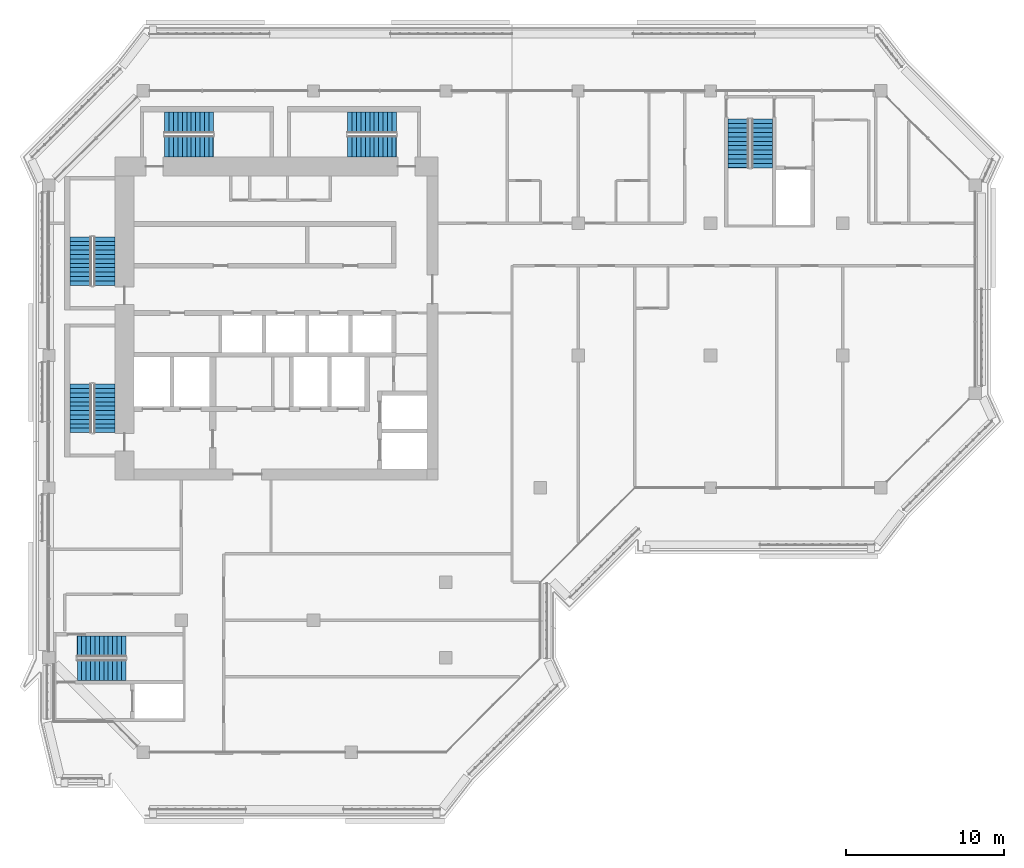
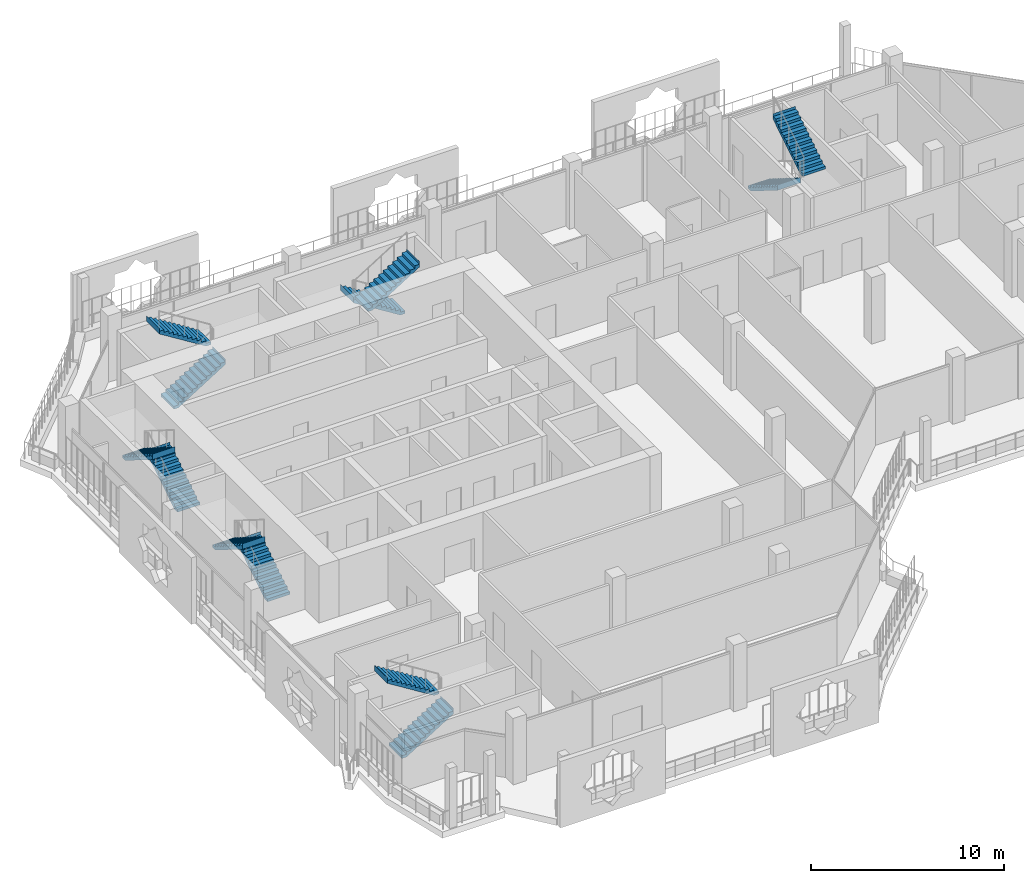
# One storey, part 14 of 21: 12 stair flights, 6 elements without a shape of their own.
"""IFC4 building model written with IfcOpenShell, lengths in metres."""

from ifc_helpers import new_model, si_unit, direction, frame, origin, place, context, subcontext, project, spatial, polyline, outline, extrude, material, type_object, element, aggregate, save


model = new_model("IFC4")

# Units and contexts
model_context = context("Model", 3, precision=1e-05, world=origin(), true_north=direction((0.0, 1.0)))
body_context = subcontext(model_context, "Body", "Model", "MODEL_VIEW")
ifc_project = project(units=[si_unit("LENGTHUNIT", "METRE"), si_unit("AREAUNIT", "SQUARE_METRE"), si_unit("VOLUMEUNIT", "CUBIC_METRE"), si_unit("PLANEANGLEUNIT", "RADIAN"), si_unit("MASSUNIT", "GRAM", prefix="KILO")], contexts=[model_context])

# Site, building, storey
site_placement = place(None, origin())
site = spatial("IfcSite", under=ifc_project, at=site_placement, CompositionType="ELEMENT")
building_placement = place(site_placement, origin())
building = spatial("IfcBuilding", under=site, at=building_placement, Name="Kawkab Arch Medical Tower", CompositionType="ELEMENT")
storey_placement = place(building_placement, frame((0.0, 0.0, 307.0)))
storey = spatial("IfcBuildingStorey", under=building, at=storey_placement, Name="L71", CompositionType="ELEMENT", Elevation=307.0)

# Stair, stair flights
ifc_material_1 = material(Name="Concrete C40/50", Category="concrete")
stair_type = type_object("IfcStairType", Name="Exit stair 1350", PredefinedType="HALF_TURN_STAIR", material=ifc_material_1)
placement = place(storey_placement, origin())
stair_1 = element("IfcStair", 1, at=placement, inside=storey, type_object=stair_type, Name="L71 Exit stair ST1", PredefinedType="HALF_TURN_STAIR")
ifc_material_2 = material(Name="Concrete C40/50", Category="concrete")
stair_flight_type = type_object("IfcStairFlightType", Name="Exit stair flight 1350", PredefinedType="STRAIGHT", material=ifc_material_2)
stair_flight_1_placement = place(storey_placement, frame((3.52490234375, -12.35009765625, 0.0), z_axis=(0.0, 0.0, 1.0), x_axis=(0.0, 1.0, 0.0)))
stair_flight_1 = element("IfcStairFlight", 2, at=stair_flight_1_placement, type_object=stair_flight_type, Name="ST1 flight 1", NumberOfRisers=12, NumberOfTreads=11, PredefinedType="STRAIGHT", RiserHeight=0.175, TreadLength=0.28, context=body_context, shape_type="SweptSolid", body=[
    extrude(outline(polyline([(-0.0029296875, 0.0), (-0.0029296875, 0.175048828125), (0.0, 0.175048828125), (0.280029296875, 0.175048828125), (0.280029296875, 0.35009765625), (0.56005859375, 0.35009765625), (0.56005859375, 0.52490234375), (0.840087890625, 0.52490234375), (0.840087890625, 0.699951171875), (1.1201171875, 0.699951171875), (1.1201171875, 0.875), (1.39990234375, 0.875), (1.39990234375, 1.050048828125), (1.679931640625, 1.050048828125), (1.679931640625, 1.22509765625), (1.9599609375, 1.22509765625), (1.9599609375, 1.39990234375), (2.239990234375, 1.39990234375), (2.239990234375, 1.574951171875), (2.52001953125, 1.574951171875), (2.52001953125, 1.75), (2.800048828125, 1.75), (2.800048828125, 1.925048828125), (3.080078125, 1.925048828125), (3.080078125, 2.10009765625), (3.0830078125, 2.10009765625), (3.0830078125, 1.748291015625), (3.080078125, 1.748291015625), (0.28271484375, 0.0), (-0.0029296875, 0.0)])), frame((0.0, 0.675048828125, 0.0), z_axis=(0.0, -1.0, 0.0), x_axis=(1.0, 0.0, 0.0)), (0.0, 0.0, 1.0), 1.35009765625),
])
stair_flight_2_placement = place(storey_placement, frame((2.02490234375, -9.27001953125, 2.10009765625), z_axis=(0.0, 0.0, 1.0), x_axis=(0.0, -1.0, 0.0)))
stair_flight_2 = element("IfcStairFlight", 3, at=stair_flight_2_placement, type_object=stair_flight_type, Name="ST1 flight 2", NumberOfRisers=12, NumberOfTreads=11, PredefinedType="STRAIGHT", RiserHeight=0.175, TreadLength=0.28, context=body_context, shape_type="SweptSolid", body=[
    extrude(outline(polyline([(-0.0029296875, 0.0), (-0.0029296875, 0.175048828125), (0.0, 0.175048828125), (0.280029296875, 0.175048828125), (0.280029296875, 0.35009765625), (0.56005859375, 0.35009765625), (0.56005859375, 0.52490234375), (0.840087890625, 0.52490234375), (0.840087890625, 0.699951171875), (1.1201171875, 0.699951171875), (1.1201171875, 0.875), (1.39990234375, 0.875), (1.39990234375, 1.050048828125), (1.679931640625, 1.050048828125), (1.679931640625, 1.22509765625), (1.9599609375, 1.22509765625), (1.9599609375, 1.39990234375), (2.239990234375, 1.39990234375), (2.239990234375, 1.574951171875), (2.52001953125, 1.574951171875), (2.52001953125, 1.75), (2.800048828125, 1.75), (2.800048828125, 1.925048828125), (3.080078125, 1.925048828125), (3.080078125, 2.10009765625), (3.0830078125, 2.10009765625), (3.0830078125, 1.748291015625), (3.080078125, 1.748291015625), (0.28271484375, 0.0), (-0.0029296875, 0.0)])), frame((0.0, 0.675048828125, 0.0), z_axis=(0.0, -1.0, 0.0), x_axis=(1.0, 0.0, 0.0)), (0.0, 0.0, 1.0), 1.35009765625),
])
aggregate(stair_1, [stair_flight_1, stair_flight_2])

stair_2 = element("IfcStair", 4, at=placement, inside=storey, type_object=stair_type, Name="L71 Exit stair ST2", PredefinedType="HALF_TURN_STAIR")
stair_flight_3_placement = place(storey_placement, frame((3.52490234375, -21.699951171875, 0.0), z_axis=(0.0, 0.0, 1.0), x_axis=(0.0, 1.0, 0.0)))
stair_flight_3 = element("IfcStairFlight", 5, at=stair_flight_3_placement, type_object=stair_flight_type, Name="ST2 flight 1", NumberOfRisers=12, NumberOfTreads=11, PredefinedType="STRAIGHT", RiserHeight=0.175, TreadLength=0.28, context=body_context, shape_type="SweptSolid", body=[
    extrude(outline(polyline([(-0.0029296875, 0.0), (-0.0029296875, 0.175048828125), (0.0, 0.175048828125), (0.280029296875, 0.175048828125), (0.280029296875, 0.35009765625), (0.56005859375, 0.35009765625), (0.56005859375, 0.52490234375), (0.840087890625, 0.52490234375), (0.840087890625, 0.699951171875), (1.1201171875, 0.699951171875), (1.1201171875, 0.875), (1.39990234375, 0.875), (1.39990234375, 1.050048828125), (1.679931640625, 1.050048828125), (1.679931640625, 1.22509765625), (1.9599609375, 1.22509765625), (1.9599609375, 1.39990234375), (2.239990234375, 1.39990234375), (2.239990234375, 1.574951171875), (2.52001953125, 1.574951171875), (2.52001953125, 1.75), (2.800048828125, 1.75), (2.800048828125, 1.925048828125), (3.080078125, 1.925048828125), (3.080078125, 2.10009765625), (3.0830078125, 2.10009765625), (3.0830078125, 1.748291015625), (3.080078125, 1.748291015625), (0.28271484375, 0.0), (-0.0029296875, 0.0)])), frame((0.0, 0.675048828125, 0.0), z_axis=(0.0, -1.0, 0.0), x_axis=(1.0, 0.0, 0.0)), (0.0, 0.0, 1.0), 1.35009765625),
])
stair_flight_4_placement = place(storey_placement, frame((2.02490234375, -18.6201171875, 2.10009765625), z_axis=(0.0, 0.0, 1.0), x_axis=(0.0, -1.0, 0.0)))
stair_flight_4 = element("IfcStairFlight", 6, at=stair_flight_4_placement, type_object=stair_flight_type, Name="ST2 flight 2", NumberOfRisers=12, NumberOfTreads=11, PredefinedType="STRAIGHT", RiserHeight=0.175, TreadLength=0.28, context=body_context, shape_type="SweptSolid", body=[
    extrude(outline(polyline([(-0.0029296875, 0.0), (-0.0029296875, 0.175048828125), (0.0, 0.175048828125), (0.280029296875, 0.175048828125), (0.280029296875, 0.35009765625), (0.56005859375, 0.35009765625), (0.56005859375, 0.52490234375), (0.840087890625, 0.52490234375), (0.840087890625, 0.699951171875), (1.1201171875, 0.699951171875), (1.1201171875, 0.875), (1.39990234375, 0.875), (1.39990234375, 1.050048828125), (1.679931640625, 1.050048828125), (1.679931640625, 1.22509765625), (1.9599609375, 1.22509765625), (1.9599609375, 1.39990234375), (2.239990234375, 1.39990234375), (2.239990234375, 1.574951171875), (2.52001953125, 1.574951171875), (2.52001953125, 1.75), (2.800048828125, 1.75), (2.800048828125, 1.925048828125), (3.080078125, 1.925048828125), (3.080078125, 2.10009765625), (3.0830078125, 2.10009765625), (3.0830078125, 1.748291015625), (3.080078125, 1.748291015625), (0.28271484375, 0.0), (-0.0029296875, 0.0)])), frame((0.0, 0.675048828125, 0.0), z_axis=(0.0, -1.0, 0.0), x_axis=(1.0, 0.0, 0.0)), (0.0, 0.0, 1.0), 1.35009765625),
])
aggregate(stair_2, [stair_flight_3, stair_flight_4])

stair_3 = element("IfcStair", 7, at=placement, inside=storey, type_object=stair_type, Name="L71 Exit stair ST3", PredefinedType="HALF_TURN_STAIR")
stair_flight_5_placement = place(storey_placement, frame((7.35009765625, -3.52490234375, 0.0), z_axis=(0.0, 0.0, 1.0), x_axis=(1.0, 0.0, 0.0)))
stair_flight_5 = element("IfcStairFlight", 8, at=stair_flight_5_placement, type_object=stair_flight_type, Name="ST3 flight 1", NumberOfRisers=12, NumberOfTreads=11, PredefinedType="STRAIGHT", RiserHeight=0.175, TreadLength=0.28, context=body_context, shape_type="SweptSolid", body=[
    extrude(outline(polyline([(-0.0029296875, 0.0), (-0.0029296875, 0.175048828125), (0.0, 0.175048828125), (0.280029296875, 0.175048828125), (0.280029296875, 0.35009765625), (0.56005859375, 0.35009765625), (0.56005859375, 0.52490234375), (0.840087890625, 0.52490234375), (0.840087890625, 0.699951171875), (1.1201171875, 0.699951171875), (1.1201171875, 0.875), (1.39990234375, 0.875), (1.39990234375, 1.050048828125), (1.679931640625, 1.050048828125), (1.679931640625, 1.22509765625), (1.9599609375, 1.22509765625), (1.9599609375, 1.39990234375), (2.239990234375, 1.39990234375), (2.239990234375, 1.574951171875), (2.52001953125, 1.574951171875), (2.52001953125, 1.75), (2.800048828125, 1.75), (2.800048828125, 1.925048828125), (3.080078125, 1.925048828125), (3.080078125, 2.10009765625), (3.0830078125, 2.10009765625), (3.0830078125, 1.748291015625), (3.080078125, 1.748291015625), (0.28271484375, 0.0), (-0.0029296875, 0.0)])), frame((0.0, 0.675048828125, 0.0), z_axis=(0.0, -1.0, 0.0), x_axis=(1.0, 0.0, 0.0)), (0.0, 0.0, 1.0), 1.35009765625),
])
stair_flight_6_placement = place(storey_placement, frame((10.429931640625, -2.02490234375, 2.10009765625), z_axis=(0.0, 0.0, 1.0), x_axis=(-1.0, 0.0, 0.0)))
stair_flight_6 = element("IfcStairFlight", 9, at=stair_flight_6_placement, type_object=stair_flight_type, Name="ST3 flight 2", NumberOfRisers=12, NumberOfTreads=11, PredefinedType="STRAIGHT", RiserHeight=0.175, TreadLength=0.28, context=body_context, shape_type="SweptSolid", body=[
    extrude(outline(polyline([(-0.0029296875, 0.0), (-0.0029296875, 0.175048828125), (0.0, 0.175048828125), (0.280029296875, 0.175048828125), (0.280029296875, 0.35009765625), (0.56005859375, 0.35009765625), (0.56005859375, 0.52490234375), (0.840087890625, 0.52490234375), (0.840087890625, 0.699951171875), (1.1201171875, 0.699951171875), (1.1201171875, 0.875), (1.39990234375, 0.875), (1.39990234375, 1.050048828125), (1.679931640625, 1.050048828125), (1.679931640625, 1.22509765625), (1.9599609375, 1.22509765625), (1.9599609375, 1.39990234375), (2.239990234375, 1.39990234375), (2.239990234375, 1.574951171875), (2.52001953125, 1.574951171875), (2.52001953125, 1.75), (2.800048828125, 1.75), (2.800048828125, 1.925048828125), (3.080078125, 1.925048828125), (3.080078125, 2.10009765625), (3.0830078125, 2.10009765625), (3.0830078125, 1.748291015625), (3.080078125, 1.748291015625), (0.28271484375, 0.0), (-0.0029296875, 0.0)])), frame((0.0, 0.675048828125, 0.0), z_axis=(0.0, -1.0, 0.0), x_axis=(1.0, 0.0, 0.0)), (0.0, 0.0, 1.0), 1.35009765625),
])
aggregate(stair_3, [stair_flight_5, stair_flight_6])

stair_4 = element("IfcStair", 10, at=placement, inside=storey, type_object=stair_type, Name="L71 Exit stair ST4", PredefinedType="HALF_TURN_STAIR")
stair_flight_7_placement = place(storey_placement, frame((22.050048828125, -2.02490234375, 0.0), z_axis=(0.0, 0.0, 1.0), x_axis=(-1.0, 0.0, 0.0)))
stair_flight_7 = element("IfcStairFlight", 11, at=stair_flight_7_placement, type_object=stair_flight_type, Name="ST4 flight 1", NumberOfRisers=12, NumberOfTreads=11, PredefinedType="STRAIGHT", RiserHeight=0.175, TreadLength=0.28, context=body_context, shape_type="SweptSolid", body=[
    extrude(outline(polyline([(-0.0029296875, 0.0), (-0.0029296875, 0.175048828125), (0.0, 0.175048828125), (0.280029296875, 0.175048828125), (0.280029296875, 0.35009765625), (0.56005859375, 0.35009765625), (0.56005859375, 0.52490234375), (0.840087890625, 0.52490234375), (0.840087890625, 0.699951171875), (1.1201171875, 0.699951171875), (1.1201171875, 0.875), (1.39990234375, 0.875), (1.39990234375, 1.050048828125), (1.679931640625, 1.050048828125), (1.679931640625, 1.22509765625), (1.9599609375, 1.22509765625), (1.9599609375, 1.39990234375), (2.239990234375, 1.39990234375), (2.239990234375, 1.574951171875), (2.52001953125, 1.574951171875), (2.52001953125, 1.75), (2.800048828125, 1.75), (2.800048828125, 1.925048828125), (3.080078125, 1.925048828125), (3.080078125, 2.10009765625), (3.0830078125, 2.10009765625), (3.0830078125, 1.748291015625), (3.080078125, 1.748291015625), (0.28271484375, 0.0), (-0.0029296875, 0.0)])), frame((0.0, 0.675048828125, 0.0), z_axis=(0.0, -1.0, 0.0), x_axis=(1.0, 0.0, 0.0)), (0.0, 0.0, 1.0), 1.35009765625),
])
stair_flight_8_placement = place(storey_placement, frame((18.969970703125, -3.52490234375, 2.10009765625), z_axis=(0.0, 0.0, 1.0), x_axis=(1.0, 0.0, 0.0)))
stair_flight_8 = element("IfcStairFlight", 12, at=stair_flight_8_placement, type_object=stair_flight_type, Name="ST4 flight 2", NumberOfRisers=12, NumberOfTreads=11, PredefinedType="STRAIGHT", RiserHeight=0.175, TreadLength=0.28, context=body_context, shape_type="SweptSolid", body=[
    extrude(outline(polyline([(-0.0029296875, 0.0), (-0.0029296875, 0.175048828125), (0.0, 0.175048828125), (0.280029296875, 0.175048828125), (0.280029296875, 0.35009765625), (0.56005859375, 0.35009765625), (0.56005859375, 0.52490234375), (0.840087890625, 0.52490234375), (0.840087890625, 0.699951171875), (1.1201171875, 0.699951171875), (1.1201171875, 0.875), (1.39990234375, 0.875), (1.39990234375, 1.050048828125), (1.679931640625, 1.050048828125), (1.679931640625, 1.22509765625), (1.9599609375, 1.22509765625), (1.9599609375, 1.39990234375), (2.239990234375, 1.39990234375), (2.239990234375, 1.574951171875), (2.52001953125, 1.574951171875), (2.52001953125, 1.75), (2.800048828125, 1.75), (2.800048828125, 1.925048828125), (3.080078125, 1.925048828125), (3.080078125, 2.10009765625), (3.0830078125, 2.10009765625), (3.0830078125, 1.748291015625), (3.080078125, 1.748291015625), (0.28271484375, 0.0), (-0.0029296875, 0.0)])), frame((0.0, 0.675048828125, 0.0), z_axis=(0.0, -1.0, 0.0), x_axis=(1.0, 0.0, 0.0)), (0.0, 0.0, 1.0), 1.35009765625),
])
aggregate(stair_4, [stair_flight_7, stair_flight_8])

stair_5 = element("IfcStair", 13, at=placement, inside=storey, type_object=stair_type, Name="L71 Exit stair ST5", PredefinedType="HALF_TURN_STAIR")
stair_flight_9_placement = place(storey_placement, frame((43.77490234375, -1.800048828125, 0.0), z_axis=(0.0, 0.0, 1.0), x_axis=(0.0, -1.0, 0.0)))
stair_flight_9 = element("IfcStairFlight", 14, at=stair_flight_9_placement, type_object=stair_flight_type, Name="ST5 flight 1", NumberOfRisers=12, NumberOfTreads=11, PredefinedType="STRAIGHT", RiserHeight=0.175, TreadLength=0.28, context=body_context, shape_type="SweptSolid", body=[
    extrude(outline(polyline([(-0.0029296875, 0.0), (-0.0029296875, 0.175048828125), (0.0, 0.175048828125), (0.280029296875, 0.175048828125), (0.280029296875, 0.35009765625), (0.56005859375, 0.35009765625), (0.56005859375, 0.52490234375), (0.840087890625, 0.52490234375), (0.840087890625, 0.699951171875), (1.1201171875, 0.699951171875), (1.1201171875, 0.875), (1.39990234375, 0.875), (1.39990234375, 1.050048828125), (1.679931640625, 1.050048828125), (1.679931640625, 1.22509765625), (1.9599609375, 1.22509765625), (1.9599609375, 1.39990234375), (2.239990234375, 1.39990234375), (2.239990234375, 1.574951171875), (2.52001953125, 1.574951171875), (2.52001953125, 1.75), (2.800048828125, 1.75), (2.800048828125, 1.925048828125), (3.080078125, 1.925048828125), (3.080078125, 2.10009765625), (3.0830078125, 2.10009765625), (3.0830078125, 1.748291015625), (3.080078125, 1.748291015625), (0.28271484375, 0.0), (-0.0029296875, 0.0)])), frame((0.0, 0.675048828125, 0.0), z_axis=(0.0, -1.0, 0.0), x_axis=(1.0, 0.0, 0.0)), (0.0, 0.0, 1.0), 1.35009765625),
])
stair_flight_10_placement = place(storey_placement, frame((45.27490234375, -4.8798828125, 2.10009765625), z_axis=(0.0, 0.0, 1.0), x_axis=(0.0, 1.0, 0.0)))
stair_flight_10 = element("IfcStairFlight", 15, at=stair_flight_10_placement, type_object=stair_flight_type, Name="ST5 flight 2", NumberOfRisers=12, NumberOfTreads=11, PredefinedType="STRAIGHT", RiserHeight=0.175, TreadLength=0.28, context=body_context, shape_type="SweptSolid", body=[
    extrude(outline(polyline([(-0.0029296875, 0.0), (-0.0029296875, 0.175048828125), (0.0, 0.175048828125), (0.280029296875, 0.175048828125), (0.280029296875, 0.35009765625), (0.56005859375, 0.35009765625), (0.56005859375, 0.52490234375), (0.840087890625, 0.52490234375), (0.840087890625, 0.699951171875), (1.1201171875, 0.699951171875), (1.1201171875, 0.875), (1.39990234375, 0.875), (1.39990234375, 1.050048828125), (1.679931640625, 1.050048828125), (1.679931640625, 1.22509765625), (1.9599609375, 1.22509765625), (1.9599609375, 1.39990234375), (2.239990234375, 1.39990234375), (2.239990234375, 1.574951171875), (2.52001953125, 1.574951171875), (2.52001953125, 1.75), (2.800048828125, 1.75), (2.800048828125, 1.925048828125), (3.080078125, 1.925048828125), (3.080078125, 2.10009765625), (3.0830078125, 2.10009765625), (3.0830078125, 1.748291015625), (3.080078125, 1.748291015625), (0.28271484375, 0.0), (-0.0029296875, 0.0)])), frame((0.0, 0.675048828125, 0.0), z_axis=(0.0, -1.0, 0.0), x_axis=(1.0, 0.0, 0.0)), (0.0, 0.0, 1.0), 1.35009765625),
])
aggregate(stair_5, [stair_flight_9, stair_flight_10])

stair_6 = element("IfcStair", 16, at=placement, inside=storey, type_object=stair_type, Name="L71 Exit stair ST6", PredefinedType="HALF_TURN_STAIR")
stair_flight_11_placement = place(storey_placement, frame((1.800048828125, -36.77490234375, 0.0), z_axis=(0.0, 0.0, 1.0), x_axis=(1.0, 0.0, 0.0)))
stair_flight_11 = element("IfcStairFlight", 17, at=stair_flight_11_placement, type_object=stair_flight_type, Name="ST6 flight 1", NumberOfRisers=12, NumberOfTreads=11, PredefinedType="STRAIGHT", RiserHeight=0.175, TreadLength=0.28, context=body_context, shape_type="SweptSolid", body=[
    extrude(outline(polyline([(-0.0029296875, 0.0), (-0.0029296875, 0.175048828125), (0.0, 0.175048828125), (0.280029296875, 0.175048828125), (0.280029296875, 0.35009765625), (0.56005859375, 0.35009765625), (0.56005859375, 0.52490234375), (0.840087890625, 0.52490234375), (0.840087890625, 0.699951171875), (1.1201171875, 0.699951171875), (1.1201171875, 0.875), (1.39990234375, 0.875), (1.39990234375, 1.050048828125), (1.679931640625, 1.050048828125), (1.679931640625, 1.22509765625), (1.9599609375, 1.22509765625), (1.9599609375, 1.39990234375), (2.239990234375, 1.39990234375), (2.239990234375, 1.574951171875), (2.52001953125, 1.574951171875), (2.52001953125, 1.75), (2.800048828125, 1.75), (2.800048828125, 1.925048828125), (3.080078125, 1.925048828125), (3.080078125, 2.10009765625), (3.0830078125, 2.10009765625), (3.0830078125, 1.748291015625), (3.080078125, 1.748291015625), (0.28271484375, 0.0), (-0.0029296875, 0.0)])), frame((0.0, 0.675048828125, 0.0), z_axis=(0.0, -1.0, 0.0), x_axis=(1.0, 0.0, 0.0)), (0.0, 0.0, 1.0), 1.35009765625),
])
stair_flight_12_placement = place(storey_placement, frame((4.8798828125, -35.27490234375, 2.10009765625), z_axis=(0.0, 0.0, 1.0), x_axis=(-1.0, 0.0, 0.0)))
stair_flight_12 = element("IfcStairFlight", 18, at=stair_flight_12_placement, type_object=stair_flight_type, Name="ST6 flight 2", NumberOfRisers=12, NumberOfTreads=11, PredefinedType="STRAIGHT", RiserHeight=0.175, TreadLength=0.28, context=body_context, shape_type="SweptSolid", body=[
    extrude(outline(polyline([(-0.0029296875, 0.0), (-0.0029296875, 0.175048828125), (0.0, 0.175048828125), (0.280029296875, 0.175048828125), (0.280029296875, 0.35009765625), (0.56005859375, 0.35009765625), (0.56005859375, 0.52490234375), (0.840087890625, 0.52490234375), (0.840087890625, 0.699951171875), (1.1201171875, 0.699951171875), (1.1201171875, 0.875), (1.39990234375, 0.875), (1.39990234375, 1.050048828125), (1.679931640625, 1.050048828125), (1.679931640625, 1.22509765625), (1.9599609375, 1.22509765625), (1.9599609375, 1.39990234375), (2.239990234375, 1.39990234375), (2.239990234375, 1.574951171875), (2.52001953125, 1.574951171875), (2.52001953125, 1.75), (2.800048828125, 1.75), (2.800048828125, 1.925048828125), (3.080078125, 1.925048828125), (3.080078125, 2.10009765625), (3.0830078125, 2.10009765625), (3.0830078125, 1.748291015625), (3.080078125, 1.748291015625), (0.28271484375, 0.0), (-0.0029296875, 0.0)])), frame((0.0, 0.675048828125, 0.0), z_axis=(0.0, -1.0, 0.0), x_axis=(1.0, 0.0, 0.0)), (0.0, 0.0, 1.0), 1.35009765625),
])
aggregate(stair_6, [stair_flight_11, stair_flight_12])

save(model, "model.ifc")
